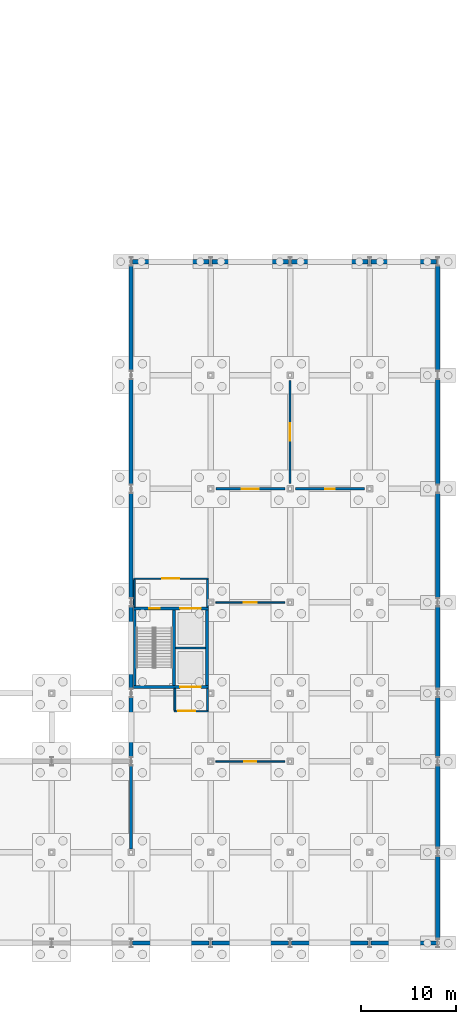
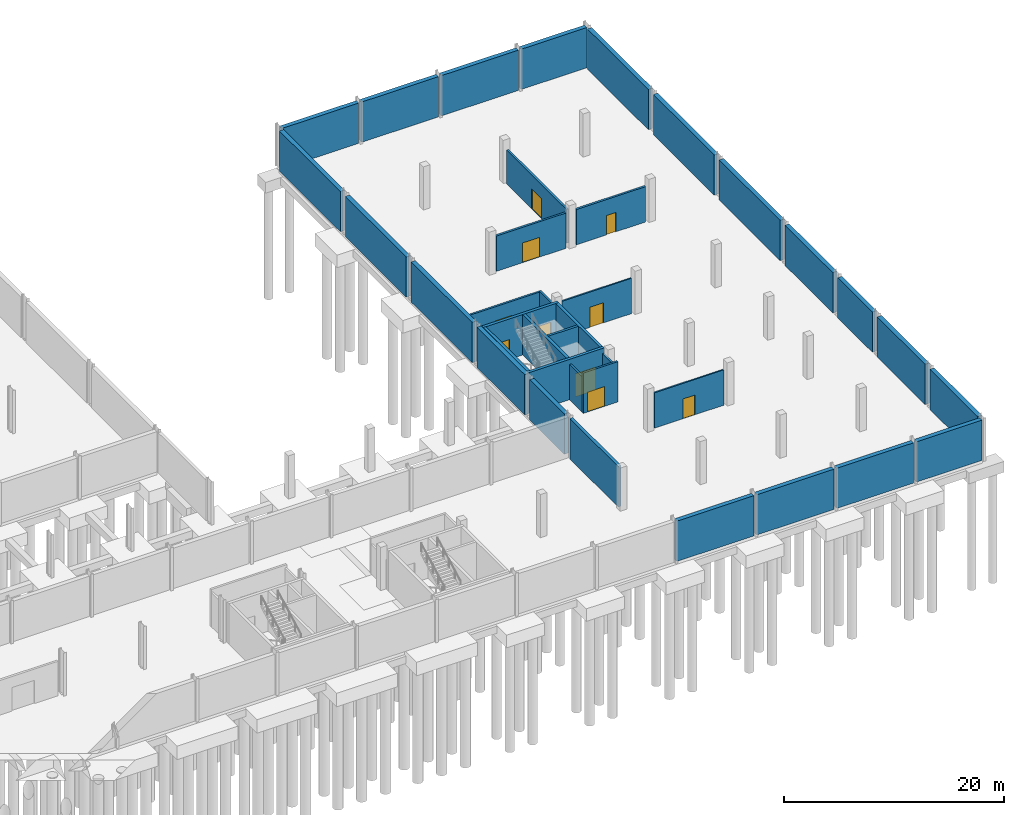
# One storey, part 23 of 29: 38 walls, 10 doors, 10 openings.
"""IFC4 building model written with IfcOpenShell, lengths in metres."""

from ifc_helpers import new_model, si_unit, direction, frame, frame_2d, origin, place, context, subcontext, project, spatial, rectangle, extrude, material, layer, layer_set, type_object, element, fill, save


model = new_model("IFC4")

# Units and contexts
model_context = context("Model", 3, precision=1e-05, world=origin(), true_north=direction((0.0, 1.0)))
body_context = subcontext(model_context, "Body", "Model", "MODEL_VIEW")
ifc_project = project(units=[si_unit("LENGTHUNIT", "METRE"), si_unit("AREAUNIT", "SQUARE_METRE"), si_unit("VOLUMEUNIT", "CUBIC_METRE"), si_unit("PLANEANGLEUNIT", "RADIAN"), si_unit("MASSUNIT", "GRAM", prefix="KILO")], contexts=[model_context])

# Site, building, storey
site_placement = place(None, origin())
site = spatial("IfcSite", under=ifc_project, at=site_placement, CompositionType="ELEMENT")
building_placement = place(site_placement, origin())
building = spatial("IfcBuilding", under=site, at=building_placement, Name="Veltarok Museum of Natural Sciences", CompositionType="ELEMENT")
storey_placement = place(building_placement, frame((0.0, 0.0, -4.800048828125)))
storey = spatial("IfcBuildingStorey", under=building, at=storey_placement, Name="B1", CompositionType="ELEMENT", Elevation=-4.800048828125)

# Wall, opening, door
ifc_material_1 = material(Name="Concrete C35/45", Category="concrete")
ifc_layer_1 = layer(ifc_material_1, 0.219970703125)
ifc_layer_set_1 = layer_set([ifc_layer_1], Name="Concrete C35/45")
wall_type_1 = type_object("IfcWallType", Name="Archive Compartment Partition 220", PredefinedType="PARTITIONING", material=ifc_layer_set_1)
wall_1_placement = place(storey_placement, frame((149.75, 48.0, 0.0), z_axis=(0.0, 0.0, 1.0), x_axis=(1.0, 0.0, 0.0)))
wall_1 = element("IfcWall", 1, at=wall_1_placement, inside=storey, type_object=wall_type_1, Name="Interior Partition B1-007", PredefinedType="PARTITIONING", context=body_context, shape_type="SweptSolid", body=[
    extrude(rectangle(XDim=7.300048828125, YDim=0.219970703125, at=frame_2d((3.64990234375, 0.0))), origin(), (0.0, 0.0, 1.0), 3.93212890625),
])
opening_1_placement = place(wall_1_placement, frame((3.14990234375, 0.0, 0.0)))
opening_1 = element("IfcOpeningElement", 2, at=opening_1_placement, cuts=wall_1, Name="Opening D-B1-133", PredefinedType="OPENING", context=body_context, shape_type="SweptSolid", body=[
    extrude(rectangle(XDim=1.0, YDim=2.14990234375, at=frame_2d((0.5, 1.074951171875))), frame((0.0, 0.1201171875, 0.0), z_axis=(0.0, -1.0, 0.0), x_axis=(1.0, 0.0, 0.0)), (0.0, 0.0, 1.0), 0.239990234375),
])
ifc_material_2 = material(Name="Fire-rated painted steel", Category="steel")
door_type_1 = type_object("IfcDoorType", Name="Fire Compartment Single Door 1000x2150", OperationType="NOTDEFINED", PredefinedType="DOOR", material=ifc_material_2)
door_1_placement = place(opening_1_placement, origin())
door_1 = element("IfcDoor", 3, at=door_1_placement, inside=storey, type_object=door_type_1, Name="Interior Door D-B1-133", OperationType="SINGLE_SWING_LEFT", OverallHeight=2.14990234375, OverallWidth=1.0, PredefinedType="DOOR", context=body_context, shape_type="SweptSolid", body=[
    extrude(rectangle(XDim=1.0, YDim=2.14990234375, at=frame_2d((0.5, 1.074951171875))), frame((0.0, 0.02490234375, 0.0), z_axis=(0.0, -1.0, 0.0), x_axis=(1.0, 0.0, 0.0)), (0.0, 0.0, 1.0), 0.050048828125),
])
fill(opening_1, door_1)

wall_2_placement = place(storey_placement, frame((141.35009765625, 48.0, 0.0), z_axis=(0.0, 0.0, 1.0), x_axis=(1.0, 0.0, 0.0)))
wall_2 = element("IfcWall", 4, at=wall_2_placement, inside=storey, type_object=wall_type_1, Name="Interior Partition B1-008", PredefinedType="PARTITIONING", context=body_context, shape_type="SweptSolid", body=[
    extrude(rectangle(XDim=7.2998046875, YDim=0.219970703125, at=frame_2d((3.64990234375, 0.0))), origin(), (0.0, 0.0, 1.0), 3.93212890625),
])
opening_2_placement = place(wall_2_placement, frame((2.75, 0.0, 0.0)))
opening_2 = element("IfcOpeningElement", 5, at=opening_2_placement, cuts=wall_2, Name="Opening D-B1-134", PredefinedType="OPENING", context=body_context, shape_type="SweptSolid", body=[
    extrude(rectangle(XDim=1.800048828125, YDim=2.199951171875, at=frame_2d((0.89990234375, 1.10009765625))), frame((0.0, 0.1201171875, 0.0), z_axis=(0.0, -1.0, 0.0), x_axis=(1.0, 0.0, 0.0)), (0.0, 0.0, 1.0), 0.239990234375),
])
ifc_material_3 = material(Name="Fire-rated steel and vision glass", Category="steel")
door_type_2 = type_object("IfcDoorType", Name="Fire Lobby Double Door 1800x2200", OperationType="NOTDEFINED", PredefinedType="DOOR", material=ifc_material_3)
door_2_placement = place(opening_2_placement, origin())
door_2 = element("IfcDoor", 6, at=door_2_placement, inside=storey, type_object=door_type_2, Name="Interior Door D-B1-134", OperationType="DOUBLE_DOOR_SINGLE_SWING", OverallHeight=2.199951171875, OverallWidth=1.800048828125, PredefinedType="DOOR", context=body_context, shape_type="SweptSolid", body=[
    extrude(rectangle(XDim=1.800048828125, YDim=2.199951171875, at=frame_2d((0.89990234375, 1.10009765625))), frame((0.0, 0.02490234375, 0.0), z_axis=(0.0, -1.0, 0.0), x_axis=(1.0, 0.0, 0.0)), (0.0, 0.0, 1.0), 0.050048828125),
])
fill(opening_2, door_2)

wall_3_placement = place(storey_placement, frame((149.199951171875, 48.550048828125, 0.0), z_axis=(0.0, 0.0, 1.0), x_axis=(0.0, 1.0, 0.0)))
wall_3 = element("IfcWall", 7, at=wall_3_placement, inside=storey, type_object=wall_type_1, Name="Interior Partition B1-009", PredefinedType="PARTITIONING", context=body_context, shape_type="SweptSolid", body=[
    extrude(rectangle(XDim=10.89990234375, YDim=0.219970703125, at=frame_2d((5.449951171875, 0.0))), origin(), (0.0, 0.0, 1.0), 3.781982421875),
])
opening_3_placement = place(wall_3_placement, frame((4.550048828125, 0.0, 0.0)))
opening_3 = element("IfcOpeningElement", 8, at=opening_3_placement, cuts=wall_3, Name="Opening D-B1-135", PredefinedType="OPENING", context=body_context, shape_type="SweptSolid", body=[
    extrude(rectangle(XDim=1.800048828125, YDim=2.199951171875, at=frame_2d((0.89990234375, 1.10009765625))), frame((0.0, 0.1201171875, 0.0), z_axis=(0.0, -1.0, 0.0), x_axis=(1.0, 0.0, 0.0)), (0.0, 0.0, 1.0), 0.239990234375),
])
door_3_placement = place(opening_3_placement, origin())
door_3 = element("IfcDoor", 9, at=door_3_placement, inside=storey, type_object=door_type_2, Name="Interior Door D-B1-135", OperationType="DOUBLE_DOOR_SINGLE_SWING", OverallHeight=2.199951171875, OverallWidth=1.800048828125, PredefinedType="DOOR", context=body_context, shape_type="SweptSolid", body=[
    extrude(rectangle(XDim=1.800048828125, YDim=2.199951171875, at=frame_2d((0.89990234375, 1.10009765625))), frame((0.0, 0.02490234375, 0.0), z_axis=(0.0, -1.0, 0.0), x_axis=(1.0, 0.0, 0.0)), (0.0, 0.0, 1.0), 0.050048828125),
])
fill(opening_3, door_3)

ifc_material_4 = material(Name="Acoustic gypsum and mineral wool")
ifc_layer_2 = layer(ifc_material_4, 0.14990234375)
ifc_layer_set_2 = layer_set([ifc_layer_2], Name="Acoustic gypsum and mineral wool")
wall_type_2 = type_object("IfcWallType", Name="Conservation Laboratory Partition 150", PredefinedType="PARTITIONING", material=ifc_layer_set_2)
wall_4_placement = place(storey_placement, frame((141.35009765625, 19.199951171875, 0.0), z_axis=(0.0, 0.0, 1.0), x_axis=(1.0, 0.0, 0.0)))
wall_4 = element("IfcWall", 10, at=wall_4_placement, inside=storey, type_object=wall_type_2, Name="Interior Partition B1-005", PredefinedType="PARTITIONING", context=body_context, shape_type="SweptSolid", body=[
    extrude(rectangle(XDim=7.2998046875, YDim=0.14990234375, at=frame_2d((3.64990234375, 0.0))), origin(), (0.0, 0.0, 1.0), 3.93212890625),
])
opening_4_placement = place(wall_4_placement, frame((3.02490234375, 0.0, 0.0)))
opening_4 = element("IfcOpeningElement", 11, at=opening_4_placement, cuts=wall_4, Name="Opening D-B1-131", PredefinedType="OPENING", context=body_context, shape_type="SweptSolid", body=[
    extrude(rectangle(XDim=1.25, YDim=2.199951171875, at=frame_2d((0.625, 1.10009765625))), frame((0.0, 0.0849609375, 0.0), z_axis=(0.0, -1.0, 0.0), x_axis=(1.0, 0.0, 0.0)), (0.0, 0.0, 1.0), 0.169921875),
])
ifc_material_5 = material(Name="HPL laboratory acoustic door")
door_type_3 = type_object("IfcDoorType", Name="Laboratory Leaf-and-Half Door 1250x2200", OperationType="NOTDEFINED", PredefinedType="DOOR", material=ifc_material_5)
door_4_placement = place(opening_4_placement, origin())
door_4 = element("IfcDoor", 12, at=door_4_placement, inside=storey, type_object=door_type_3, Name="Interior Door D-B1-131", OperationType="SINGLE_SWING_LEFT", OverallHeight=2.199951171875, OverallWidth=1.25, PredefinedType="DOOR", context=body_context, shape_type="SweptSolid", body=[
    extrude(rectangle(XDim=1.25, YDim=2.199951171875, at=frame_2d((0.625, 1.10009765625))), frame((0.0, 0.02490234375, 0.0), z_axis=(0.0, -1.0, 0.0), x_axis=(1.0, 0.0, 0.0)), (0.0, 0.0, 1.0), 0.050048828125),
])
fill(opening_4, door_4)

wall_5_placement = place(storey_placement, frame((141.35009765625, 36.0, 0.0), z_axis=(0.0, 0.0, 1.0), x_axis=(1.0, 0.0, 0.0)))
wall_5 = element("IfcWall", 13, at=wall_5_placement, inside=storey, type_object=wall_type_2, Name="Interior Partition B1-006", PredefinedType="PARTITIONING", context=body_context, shape_type="SweptSolid", body=[
    extrude(rectangle(XDim=7.2998046875, YDim=0.14990234375, at=frame_2d((3.64990234375, 0.0))), origin(), (0.0, 0.0, 1.0), 3.93212890625),
])
opening_5_placement = place(wall_5_placement, frame((2.949951171875, 0.0, 0.0)))
opening_5 = element("IfcOpeningElement", 14, at=opening_5_placement, cuts=wall_5, Name="Opening D-B1-132", PredefinedType="OPENING", context=body_context, shape_type="SweptSolid", body=[
    extrude(rectangle(XDim=1.39990234375, YDim=2.25, at=frame_2d((0.699951171875, 1.125))), frame((0.0, 0.0849609375, 0.0), z_axis=(0.0, -1.0, 0.0), x_axis=(1.0, 0.0, 0.0)), (0.0, 0.0, 1.0), 0.169921875),
])
door_type_4 = type_object("IfcDoorType", Name="Wide Specimen Lab Door 1400x2250", OperationType="NOTDEFINED", PredefinedType="DOOR", material=ifc_material_5)
door_5_placement = place(opening_5_placement, origin())
door_5 = element("IfcDoor", 15, at=door_5_placement, inside=storey, type_object=door_type_4, Name="Interior Door D-B1-132", OperationType="SINGLE_SWING_RIGHT", OverallHeight=2.25, OverallWidth=1.39990234375, PredefinedType="DOOR", context=body_context, shape_type="SweptSolid", body=[
    extrude(rectangle(XDim=1.39990234375, YDim=2.25, at=frame_2d((0.699951171875, 1.125))), frame((0.0, 0.02490234375, 0.0), z_axis=(0.0, -1.0, 0.0), x_axis=(1.0, 0.0, 0.0)), (0.0, 0.0, 1.0), 0.050048828125),
])
fill(opening_5, door_5)

ifc_layer_3 = layer(ifc_material_1, 0.199951171875)
ifc_layer_set_3 = layer_set([ifc_layer_3], Name="Concrete C35/45")
wall_type_3 = type_object("IfcWallType", Name="Firefighting Lobby Compartment Wall 200", PredefinedType="SOLIDWALL", material=ifc_layer_set_3)
wall_6_placement = place(storey_placement, frame((132.6298828125, 38.5, 0.0), z_axis=(0.0, 0.0, 1.0), x_axis=(1.0, 0.0, 0.0)))
wall_6 = element("IfcWall", 16, at=wall_6_placement, inside=storey, type_object=wall_type_3, Name="Firefighting Lobby Wall C5 B1 N", PredefinedType="SOLIDWALL", context=body_context, shape_type="SweptSolid", body=[
    extrude(rectangle(XDim=7.940185546875, YDim=0.199951171875, at=frame_2d((3.97021484375, 0.0))), origin(), (0.0, 0.0, 1.0), 3.781982421875),
])
opening_6_placement = place(wall_6_placement, frame((3.070068359375, 0.0, 0.0)))
opening_6 = element("IfcOpeningElement", 17, at=opening_6_placement, cuts=wall_6, Name="Opening D-B1-010", PredefinedType="OPENING", context=body_context, shape_type="SweptSolid", body=[
    extrude(rectangle(XDim=1.800048828125, YDim=2.199951171875, at=frame_2d((0.89990234375, 1.10009765625))), frame((0.0, 0.10986328125, 0.0), z_axis=(0.0, -1.0, 0.0), x_axis=(1.0, 0.0, 0.0)), (0.0, 0.0, 1.0), 0.219970703125),
])
door_6_placement = place(opening_6_placement, origin())
door_6 = element("IfcDoor", 18, at=door_6_placement, inside=storey, type_object=door_type_2, Name="Firefighting Lobby Entrance Door C5 B1", OperationType="DOUBLE_DOOR_SINGLE_SWING", OverallHeight=2.199951171875, OverallWidth=1.800048828125, PredefinedType="DOOR", context=body_context, shape_type="SweptSolid", body=[
    extrude(rectangle(XDim=1.800048828125, YDim=2.199951171875, at=frame_2d((0.89990234375, 1.10009765625))), frame((0.0, 0.02490234375, 0.0), z_axis=(0.0, -1.0, 0.0), x_axis=(1.0, 0.0, 0.0)), (0.0, 0.0, 1.0), 0.050048828125),
])
fill(opening_6, door_6)

# Walls
for number, where, z_axis, x_axis, name in (
    (19, (132.72998046875, 35.5, 0.0), (0.0, 0.0, 1.0), (0.0, 1.0, 0.0), "Firefighting Lobby Wall C5 B1 W"),
    (20, (140.469970703125, 38.39990234375, 0.0), (0.0, 0.0, 1.0), (0.0, -1.0, 0.0), "Firefighting Lobby Wall C5 B1 E"),
):
    element("IfcWall", number, at=place(storey_placement, frame(where, z_axis=z_axis, x_axis=x_axis)), inside=storey, type_object=wall_type_3, Name=name, PredefinedType="SOLIDWALL", context=body_context, shape_type="SweptSolid", body=[
        extrude(rectangle(XDim=2.89990234375, YDim=0.199951171875, at=frame_2d((1.449951171875, 0.0))), origin(), (0.0, 0.0, 1.0), 3.93212890625),
    ])

# Wall, opening, door
wall_7_placement = place(storey_placement, frame((140.570068359375, 24.5, 0.0), z_axis=(0.0, 0.0, 1.0), x_axis=(-1.0, 0.0, 0.0)))
wall_7 = element("IfcWall", 21, at=wall_7_placement, inside=storey, type_object=wall_type_3, Name="South Freight Lift Lobby Wall C5S B1 S", PredefinedType="SOLIDWALL", context=body_context, shape_type="SweptSolid", body=[
    extrude(rectangle(XDim=3.650146484375, YDim=0.199951171875, at=frame_2d((1.8251953125, 0.0))), origin(), (0.0, 0.0, 1.0), 4.485107421875),
])
opening_7_placement = place(wall_7_placement, frame((1.39990234375, 0.0, 0.0)))
opening_7 = element("IfcOpeningElement", 22, at=opening_7_placement, cuts=wall_7, Name="Opening D-B1-011", PredefinedType="OPENING", context=body_context, shape_type="SweptSolid", body=[
    extrude(rectangle(XDim=1.800048828125, YDim=2.199951171875, at=frame_2d((0.89990234375, 1.10009765625))), frame((0.0, 0.10986328125, 0.0), z_axis=(0.0, -1.0, 0.0), x_axis=(1.0, 0.0, 0.0)), (0.0, 0.0, 1.0), 0.219970703125),
])
door_7_placement = place(opening_7_placement, origin())
door_7 = element("IfcDoor", 23, at=door_7_placement, inside=storey, type_object=door_type_2, Name="Freight Lift Lobby Door C5S B1", OperationType="DOUBLE_DOOR_SINGLE_SWING", OverallHeight=2.199951171875, OverallWidth=1.800048828125, PredefinedType="DOOR", context=body_context, shape_type="SweptSolid", body=[
    extrude(rectangle(XDim=1.800048828125, YDim=2.199951171875, at=frame_2d((0.89990234375, 1.10009765625))), frame((0.0, 0.02490234375, 0.0), z_axis=(0.0, -1.0, 0.0), x_axis=(1.0, 0.0, 0.0)), (0.0, 0.0, 1.0), 0.050048828125),
])
fill(opening_7, door_7)

# Walls
for number, where, z_axis, x_axis, name in (
    (24, (137.02001953125, 24.60009765625, 0.0), (0.0, 0.0, 1.0), (0.0, 1.0, 0.0), "South Freight Lift Lobby Wall C5S B1 W"),
    (25, (140.469970703125, 26.89990234375, 0.0), (0.0, 0.0, 1.0), (0.0, -1.0, 0.0), "South Freight Lift Lobby Wall C5S B1 E"),
):
    element("IfcWall", number, at=place(storey_placement, frame(where, z_axis=z_axis, x_axis=x_axis)), inside=storey, type_object=wall_type_3, Name=name, PredefinedType="SOLIDWALL", context=body_context, shape_type="SweptSolid", body=[
        extrude(rectangle(XDim=2.2998046875, YDim=0.199951171875, at=frame_2d((1.14990234375, 0.0))), origin(), (0.0, 0.0, 1.0), 3.93212890625),
    ])
ifc_material_6 = material(Name="Concrete C40/50", Category="concrete")
ifc_layer_4 = layer(ifc_material_6, 0.320068359375)
ifc_layer_set_4 = layer_set([ifc_layer_4], Name="Concrete C40/50")
wall_type_4 = type_object("IfcWallType", Name="Interior Lateral Concrete Shear Wall 320", PredefinedType="SHEAR", material=ifc_layer_set_4)
wall_8_placement = place(storey_placement, frame((132.39990234375, 9.949951171875, 0.0), z_axis=(0.0, 0.0, 1.0), x_axis=(0.0, 1.0, 0.0)))
element("IfcWall", 26, at=wall_8_placement, inside=storey, type_object=wall_type_4, Name="Interior Shear Wall SW2 B1", PredefinedType="SHEAR", context=body_context, shape_type="SweptSolid", body=[
    extrude(rectangle(XDim=8.800048828125, YDim=0.320068359375, at=frame_2d((4.39990234375, 0.0))), origin(), (0.0, 0.0, 1.0), 4.5),
])
ifc_layer_5 = layer(ifc_material_6, 0.25)
ifc_layer_set_5 = layer_set([ifc_layer_5], Name="Concrete C40/50")
wall_type_5 = type_object("IfcWallType", Name="Lift Shaft Concrete Shear Wall 250", PredefinedType="SHEAR", material=ifc_layer_set_5)
wall_9_placement = place(storey_placement, frame((137.070068359375, 31.175048828125, 0.0), z_axis=(0.0, 0.0, 1.0), x_axis=(1.0, 0.0, 0.0)))
element("IfcWall", 27, at=wall_9_placement, inside=storey, type_object=wall_type_5, Name="Lift Shaft Divider Wall C5 B1", PredefinedType="SHEAR", context=body_context, shape_type="SweptSolid", body=[
    extrude(rectangle(XDim=3.199951171875, YDim=0.25, at=frame_2d((1.60009765625, 0.0))), origin(), (0.0, 0.0, 1.0), 4.5),
])

# Wall, opening, door
ifc_layer_6 = layer(ifc_material_6, 0.300048828125)
ifc_layer_set_6 = layer_set([ifc_layer_6], Name="Concrete C40/50")
wall_type_6 = type_object("IfcWallType", Name="Protected Core Shear Wall 300", PredefinedType="SHEAR", material=ifc_layer_set_6)
wall_10_placement = place(storey_placement, frame((132.6298828125, 27.050048828125, 0.0), z_axis=(0.0, 0.0, 1.0), x_axis=(1.0, 0.0, 0.0)))
wall_10 = element("IfcWall", 28, at=wall_10_placement, inside=storey, type_object=wall_type_6, Name="Core Shear Wall C5 B1 S", PredefinedType="SHEAR", context=body_context, shape_type="SweptSolid", body=[
    extrude(rectangle(XDim=7.940185546875, YDim=0.300048828125, at=frame_2d((3.97021484375, 0.0))), origin(), (0.0, 0.0, 1.0), 4.5),
])
opening_8_placement = place(wall_10_placement, frame((4.93994140625, 0.0, 0.0)))
opening_8 = element("IfcOpeningElement", 29, at=opening_8_placement, cuts=wall_10, Name="Opening LD-B1-GL-01", PredefinedType="OPENING", context=body_context, shape_type="SweptSolid", body=[
    extrude(rectangle(XDim=2.199951171875, YDim=2.60009765625, at=frame_2d((1.10009765625, 1.300048828125))), frame((0.0, 0.16015625, 0.0), z_axis=(0.0, -1.0, 0.0), x_axis=(1.0, 0.0, 0.0)), (0.0, 0.0, 1.0), 0.320068359375),
])
ifc_material_7 = material(Name="Heavy stainless steel", Category="steel")
door_type_5 = type_object("IfcDoorType", Name="Art Freight Lift Bi-Parting Landing Door 2200x2600", OperationType="SLIDING_TO_LEFT", PredefinedType="DOOR", material=ifc_material_7)
door_8_placement = place(opening_8_placement, origin())
door_8 = element("IfcDoor", 30, at=door_8_placement, inside=storey, type_object=door_type_5, Name="Sliding Lift Landing Door LD-B1-GL-01", OperationType="SLIDING_TO_LEFT", OverallHeight=2.60009765625, OverallWidth=2.199951171875, PredefinedType="DOOR", context=body_context, shape_type="SweptSolid", body=[
    extrude(rectangle(XDim=2.199951171875, YDim=2.60009765625, at=frame_2d((1.10009765625, 1.300048828125))), frame((0.0, 0.02490234375, 0.0), z_axis=(0.0, -1.0, 0.0), x_axis=(1.0, 0.0, 0.0)), (0.0, 0.0, 1.0), 0.050048828125),
])
fill(opening_8, door_8)

# Wall, openings, doors
wall_11_placement = place(storey_placement, frame((140.570068359375, 35.35009765625, 0.0), z_axis=(0.0, 0.0, 1.0), x_axis=(-1.0, 0.0, 0.0)))
wall_11 = element("IfcWall", 31, at=wall_11_placement, inside=storey, type_object=wall_type_6, Name="Core Shear Wall C5 B1 N", PredefinedType="SHEAR", context=body_context, shape_type="SweptSolid", body=[
    extrude(rectangle(XDim=7.940185546875, YDim=0.300048828125, at=frame_2d((3.97021484375, 0.0))), origin(), (0.0, 0.0, 1.0), 4.5),
])
opening_9_placement = place(wall_11_placement, frame((5.169921875, 0.0, 0.0)))
opening_9 = element("IfcOpeningElement", 32, at=opening_9_placement, cuts=wall_11, Name="Opening D-B1-009", PredefinedType="OPENING", context=body_context, shape_type="SweptSolid", body=[
    extrude(rectangle(XDim=1.10009765625, YDim=2.199951171875, at=frame_2d((0.550048828125, 1.10009765625))), frame((0.0, 0.16015625, 0.0), z_axis=(0.0, -1.0, 0.0), x_axis=(1.0, 0.0, 0.0)), (0.0, 0.0, 1.0), 0.320068359375),
])
opening_10_placement = place(wall_11_placement, frame((0.800048828125, 0.0, 0.0)))
opening_10 = element("IfcOpeningElement", 33, at=opening_10_placement, cuts=wall_11, Name="Opening LD-B1-GL-02", PredefinedType="OPENING", context=body_context, shape_type="SweptSolid", body=[
    extrude(rectangle(XDim=2.199951171875, YDim=2.60009765625, at=frame_2d((1.10009765625, 1.300048828125))), frame((0.0, 0.16015625, 0.0), z_axis=(0.0, -1.0, 0.0), x_axis=(1.0, 0.0, 0.0)), (0.0, 0.0, 1.0), 0.320068359375),
])
door_9_placement = place(opening_10_placement, origin())
door_9 = element("IfcDoor", 34, at=door_9_placement, inside=storey, type_object=door_type_5, Name="Sliding Lift Landing Door LD-B1-GL-02", OperationType="SLIDING_TO_LEFT", OverallHeight=2.60009765625, OverallWidth=2.199951171875, PredefinedType="DOOR", context=body_context, shape_type="SweptSolid", body=[
    extrude(rectangle(XDim=2.199951171875, YDim=2.60009765625, at=frame_2d((1.10009765625, 1.300048828125))), frame((0.0, 0.02490234375, 0.0), z_axis=(0.0, -1.0, 0.0), x_axis=(1.0, 0.0, 0.0)), (0.0, 0.0, 1.0), 0.050048828125),
])
fill(opening_10, door_9)
door_type_6 = type_object("IfcDoorType", Name="Fire Core Single Escape Door 1100x2200", OperationType="NOTDEFINED", PredefinedType="DOOR", material=ifc_material_2)
door_10_placement = place(opening_9_placement, origin())
door_10 = element("IfcDoor", 35, at=door_10_placement, inside=storey, type_object=door_type_6, Name="Protected Stair Door ST-05 B1", OperationType="SINGLE_SWING_LEFT", OverallHeight=2.199951171875, OverallWidth=1.10009765625, PredefinedType="DOOR", context=body_context, shape_type="SweptSolid", body=[
    extrude(rectangle(XDim=1.10009765625, YDim=2.199951171875, at=frame_2d((0.550048828125, 1.10009765625))), frame((0.0, 0.02490234375, 0.0), z_axis=(0.0, -1.0, 0.0), x_axis=(1.0, 0.0, 0.0)), (0.0, 0.0, 1.0), 0.050048828125),
])
fill(opening_9, door_10)

# Walls
for number, where, z_axis, x_axis, name in (
    (36, (132.780029296875, 35.199951171875, 0.0), (0.0, 0.0, 1.0), (0.0, -1.0, 0.0), "Core Shear Wall C5 B1 W"),
    (37, (140.419921875, 27.199951171875, 0.0), (0.0, 0.0, 1.0), (0.0, 1.0, 0.0), "Core Shear Wall C5 B1 E"),
    (38, (136.919921875, 27.199951171875, 0.0), (0.0, 0.0, 1.0), (0.0, 1.0, 0.0), "Core Shear Wall C5 B1 DIV"),
):
    element("IfcWall", number, at=place(storey_placement, frame(where, z_axis=z_axis, x_axis=x_axis)), inside=storey, type_object=wall_type_6, Name=name, PredefinedType="SHEAR", context=body_context, shape_type="SweptSolid", body=[
        extrude(rectangle(XDim=8.0, YDim=0.300048828125, at=frame_2d((4.0, 0.0))), origin(), (0.0, 0.0, 1.0), 4.5),
    ])
ifc_layer_7 = layer(ifc_material_1, 0.449951171875)
ifc_layer_set_7 = layer_set([ifc_layer_7], Name="Concrete C35/45")
wall_type_7 = type_object("IfcWallType", Name="Tanked Basement Retaining Wall 450", PredefinedType="USERDEFINED", material=ifc_layer_set_7)
wall_12_placement = place(storey_placement, frame((132.39990234375, 19.64990234375, 0.0), z_axis=(0.0, 0.0, 1.0), x_axis=(0.0, 1.0, 0.0)))
element("IfcWall", 39, at=wall_12_placement, inside=storey, type_object=wall_type_7, Name="Basement Retaining Wall B1-013", ObjectType="RETAININGWALL", PredefinedType="USERDEFINED", context=body_context, shape_type="SweptSolid", body=[
    extrude(rectangle(XDim=6.300048828125, YDim=0.449951171875, at=frame_2d((3.14990234375, 0.0))), origin(), (0.0, 0.0, 1.0), 4.47998046875),
])
wall_13_placement = place(storey_placement, frame((132.39990234375, 26.85009765625, 0.0), z_axis=(0.0, 0.0, 1.0), x_axis=(0.0, 1.0, 0.0)))
element("IfcWall", 40, at=wall_13_placement, inside=storey, type_object=wall_type_7, Name="Basement Retaining Wall B1-014", ObjectType="RETAININGWALL", PredefinedType="USERDEFINED", context=body_context, shape_type="SweptSolid", body=[
    extrude(rectangle(XDim=8.699951171875, YDim=0.449951171875, at=frame_2d((4.35009765625, 0.0))), origin(), (0.0, 0.0, 1.0), 4.47998046875),
])
for number, where, z_axis, x_axis, name in (
    (41, (132.39990234375, 36.449951171875, 0.0), (0.0, 0.0, 1.0), (0.0, 1.0, 0.0), "Basement Retaining Wall B1-015"),
    (42, (132.39990234375, 48.449951171875, 0.0), (0.0, 0.0, 1.0), (0.0, 1.0, 0.0), "Basement Retaining Wall B1-016"),
    (43, (132.39990234375, 60.449951171875, 0.0), (0.0, 0.0, 1.0), (0.0, 1.0, 0.0), "Basement Retaining Wall B1-017"),
):
    element("IfcWall", number, at=place(storey_placement, frame(where, z_axis=z_axis, x_axis=x_axis)), inside=storey, type_object=wall_type_7, Name=name, ObjectType="RETAININGWALL", PredefinedType="USERDEFINED", context=body_context, shape_type="SweptSolid", body=[
        extrude(rectangle(XDim=11.10009765625, YDim=0.449951171875, at=frame_2d((5.550048828125, 0.0))), origin(), (0.0, 0.0, 1.0), 4.47998046875),
    ])
wall_14_placement = place(storey_placement, frame((132.550048828125, 72.0, 0.0), z_axis=(0.0, 0.0, 1.0), x_axis=(1.0, 0.0, 0.0)))
element("IfcWall", 44, at=wall_14_placement, inside=storey, type_object=wall_type_7, Name="Basement Retaining Wall B1-018", ObjectType="RETAININGWALL", PredefinedType="USERDEFINED", context=body_context, shape_type="SweptSolid", body=[
    extrude(rectangle(XDim=8.099853515625, YDim=0.449951171875, at=frame_2d((4.0498046875, 0.0))), origin(), (0.0, 0.0, 1.0), 4.47998046875),
])
wall_15_placement = place(storey_placement, frame((140.949951171875, 72.0, 0.0), z_axis=(0.0, 0.0, 1.0), x_axis=(1.0, 0.0, 0.0)))
element("IfcWall", 45, at=wall_15_placement, inside=storey, type_object=wall_type_7, Name="Basement Retaining Wall B1-019", ObjectType="RETAININGWALL", PredefinedType="USERDEFINED", context=body_context, shape_type="SweptSolid", body=[
    extrude(rectangle(XDim=8.10009765625, YDim=0.449951171875, at=frame_2d((4.050048828125, 0.0))), origin(), (0.0, 0.0, 1.0), 4.47998046875),
])
wall_16_placement = place(storey_placement, frame((149.35009765625, 72.0, 0.0), z_axis=(0.0, 0.0, 1.0), x_axis=(1.0, 0.0, 0.0)))
element("IfcWall", 46, at=wall_16_placement, inside=storey, type_object=wall_type_7, Name="Basement Retaining Wall B1-020", ObjectType="RETAININGWALL", PredefinedType="USERDEFINED", context=body_context, shape_type="SweptSolid", body=[
    extrude(rectangle(XDim=8.099853515625, YDim=0.449951171875, at=frame_2d((4.0498046875, 0.0))), origin(), (0.0, 0.0, 1.0), 4.47998046875),
])
wall_17_placement = place(storey_placement, frame((157.75, 72.0, 0.0), z_axis=(0.0, 0.0, 1.0), x_axis=(1.0, 0.0, 0.0)))
element("IfcWall", 47, at=wall_17_placement, inside=storey, type_object=wall_type_7, Name="Basement Retaining Wall B1-021", ObjectType="RETAININGWALL", PredefinedType="USERDEFINED", context=body_context, shape_type="SweptSolid", body=[
    extrude(rectangle(XDim=6.89990234375, YDim=0.449951171875, at=frame_2d((3.449951171875, 0.0))), origin(), (0.0, 0.0, 1.0), 4.47998046875),
])
for number, where, z_axis, x_axis, name in (
    (48, (164.800048828125, 71.550048828125, 0.0), (0.0, 0.0, 1.0), (0.0, -1.0, 0.0), "Basement Retaining Wall B1-022"),
    (49, (164.800048828125, 59.550048828125, 0.0), (0.0, 0.0, 1.0), (0.0, -1.0, 0.0), "Basement Retaining Wall B1-023"),
    (50, (164.800048828125, 47.550048828125, 0.0), (0.0, 0.0, 1.0), (0.0, -1.0, 0.0), "Basement Retaining Wall B1-024"),
):
    element("IfcWall", number, at=place(storey_placement, frame(where, z_axis=z_axis, x_axis=x_axis)), inside=storey, type_object=wall_type_7, Name=name, ObjectType="RETAININGWALL", PredefinedType="USERDEFINED", context=body_context, shape_type="SweptSolid", body=[
        extrude(rectangle(XDim=11.10009765625, YDim=0.449951171875, at=frame_2d((5.550048828125, 0.0))), origin(), (0.0, 0.0, 1.0), 4.47998046875),
    ])
wall_18_placement = place(storey_placement, frame((164.800048828125, 35.550048828125, 0.0), z_axis=(0.0, 0.0, 1.0), x_axis=(0.0, -1.0, 0.0)))
element("IfcWall", 51, at=wall_18_placement, inside=storey, type_object=wall_type_7, Name="Basement Retaining Wall B1-025", ObjectType="RETAININGWALL", PredefinedType="USERDEFINED", context=body_context, shape_type="SweptSolid", body=[
    extrude(rectangle(XDim=8.699951171875, YDim=0.449951171875, at=frame_2d((4.35009765625, 0.0))), origin(), (0.0, 0.0, 1.0), 4.47998046875),
])
wall_19_placement = place(storey_placement, frame((164.800048828125, 25.949951171875, 0.0), z_axis=(0.0, 0.0, 1.0), x_axis=(0.0, -1.0, 0.0)))
element("IfcWall", 52, at=wall_19_placement, inside=storey, type_object=wall_type_7, Name="Basement Retaining Wall B1-026", ObjectType="RETAININGWALL", PredefinedType="USERDEFINED", context=body_context, shape_type="SweptSolid", body=[
    extrude(rectangle(XDim=6.300048828125, YDim=0.449951171875, at=frame_2d((3.14990234375, 0.0))), origin(), (0.0, 0.0, 1.0), 4.47998046875),
])
for number, where, z_axis, x_axis, name in (
    (53, (164.800048828125, 18.75, 0.0), (0.0, 0.0, 1.0), (0.0, -1.0, 0.0), "Basement Retaining Wall B1-027"),
    (54, (164.800048828125, 9.14990234375, 0.0), (0.0, 0.0, 1.0), (0.0, -1.0, 0.0), "Basement Retaining Wall B1-028"),
):
    element("IfcWall", number, at=place(storey_placement, frame(where, z_axis=z_axis, x_axis=x_axis)), inside=storey, type_object=wall_type_7, Name=name, ObjectType="RETAININGWALL", PredefinedType="USERDEFINED", context=body_context, shape_type="SweptSolid", body=[
        extrude(rectangle(XDim=8.699951171875, YDim=0.449951171875, at=frame_2d((4.35009765625, 0.0))), origin(), (0.0, 0.0, 1.0), 4.47998046875),
    ])
wall_20_placement = place(storey_placement, frame((164.64990234375, 0.0, 0.0), z_axis=(0.0, 0.0, 1.0), x_axis=(-1.0, 0.0, 0.0)))
element("IfcWall", 55, at=wall_20_placement, inside=storey, type_object=wall_type_7, Name="Basement Retaining Wall B1-029", ObjectType="RETAININGWALL", PredefinedType="USERDEFINED", context=body_context, shape_type="SweptSolid", body=[
    extrude(rectangle(XDim=6.89990234375, YDim=0.449951171875, at=frame_2d((3.449951171875, 0.0))), origin(), (0.0, 0.0, 1.0), 4.47998046875),
])
wall_21_placement = place(storey_placement, frame((157.449951171875, 0.0, 0.0), z_axis=(0.0, 0.0, 1.0), x_axis=(-1.0, 0.0, 0.0)))
element("IfcWall", 56, at=wall_21_placement, inside=storey, type_object=wall_type_7, Name="Basement Retaining Wall B1-030", ObjectType="RETAININGWALL", PredefinedType="USERDEFINED", context=body_context, shape_type="SweptSolid", body=[
    extrude(rectangle(XDim=8.099853515625, YDim=0.449951171875, at=frame_2d((4.0498046875, 0.0))), origin(), (0.0, 0.0, 1.0), 4.47998046875),
])
wall_22_placement = place(storey_placement, frame((149.050048828125, 0.0, 0.0), z_axis=(0.0, 0.0, 1.0), x_axis=(-1.0, 0.0, 0.0)))
element("IfcWall", 57, at=wall_22_placement, inside=storey, type_object=wall_type_7, Name="Basement Retaining Wall B1-031", ObjectType="RETAININGWALL", PredefinedType="USERDEFINED", context=body_context, shape_type="SweptSolid", body=[
    extrude(rectangle(XDim=8.10009765625, YDim=0.449951171875, at=frame_2d((4.050048828125, 0.0))), origin(), (0.0, 0.0, 1.0), 4.47998046875),
])
wall_23_placement = place(storey_placement, frame((140.64990234375, 0.0, 0.0), z_axis=(0.0, 0.0, 1.0), x_axis=(-1.0, 0.0, 0.0)))
element("IfcWall", 58, at=wall_23_placement, inside=storey, type_object=wall_type_7, Name="Basement Retaining Wall B1-032", ObjectType="RETAININGWALL", PredefinedType="USERDEFINED", context=body_context, shape_type="SweptSolid", body=[
    extrude(rectangle(XDim=8.099853515625, YDim=0.449951171875, at=frame_2d((4.0498046875, 0.0))), origin(), (0.0, 0.0, 1.0), 4.47998046875),
])

save(model, "model.ifc")
